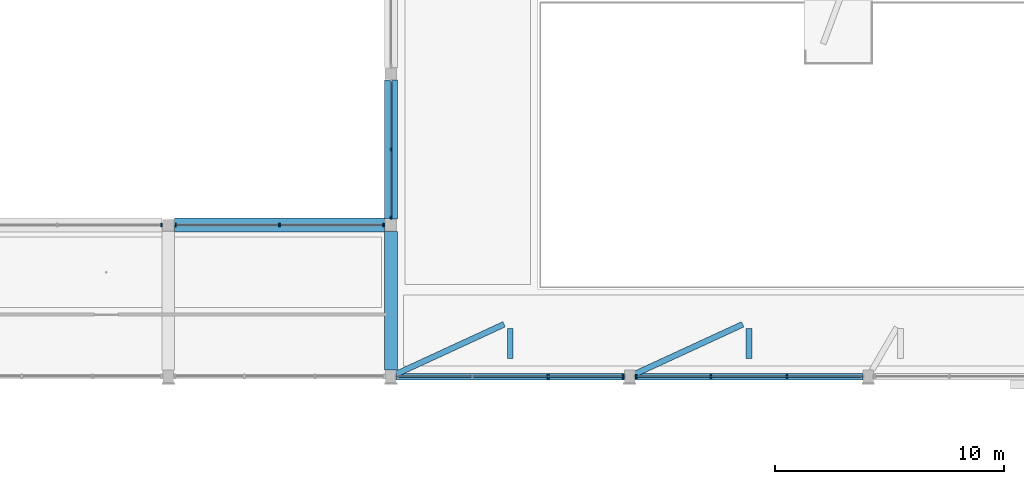
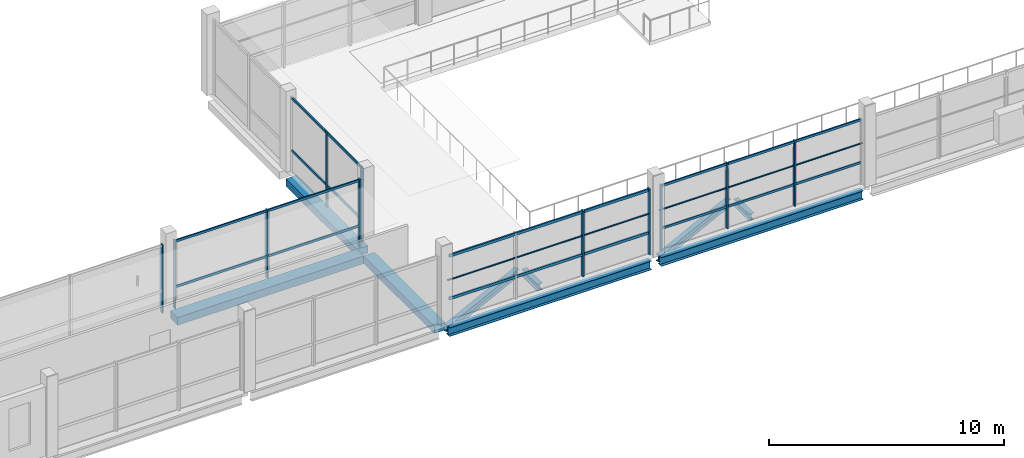
# One storey, part 14 of 85: 21 members, 9 beams, 5 elements without a shape of their own.
"""IFC4 building model written with IfcOpenShell, lengths in metres."""

from ifc_helpers import new_model, si_unit, derived_unit, direction, frame, origin, origin_2d, place, context, subcontext, project, spatial, rectangle, hollow_circle, i_section, extrude, material, material_profile, profile_set, type_object, element, aggregate, save


model = new_model("IFC4")

# Units and contexts
model_context = context("Model", 3, precision=1e-05, world=origin(), true_north=direction((0.0, 1.0)))
body_context = subcontext(model_context, "Body", "Model", "MODEL_VIEW")
ifc_project = project(units=[si_unit("LENGTHUNIT", "METRE"), si_unit("AREAUNIT", "SQUARE_METRE"), si_unit("VOLUMEUNIT", "CUBIC_METRE"), si_unit("PLANEANGLEUNIT", "RADIAN"), si_unit("MASSUNIT", "GRAM", prefix="KILO"), derived_unit("THERMALTRANSMITTANCEUNIT", [(si_unit("POWERUNIT", "WATT"), 1), (si_unit("LENGTHUNIT", "METRE"), -2), (si_unit("THERMODYNAMICTEMPERATUREUNIT", "KELVIN"), -1)])], contexts=[model_context])

# Site, building, storey
site_placement = place(None, origin())
site = spatial("IfcSite", under=ifc_project, at=site_placement, CompositionType="ELEMENT")
building_placement = place(site_placement, origin())
building = spatial("IfcBuilding", under=site, at=building_placement, Name="Braskholm Square Health Centre", CompositionType="ELEMENT")
storey_placement = place(building_placement, frame((0.0, 0.0, 9.300048828125)))
storey = spatial("IfcBuildingStorey", under=building, at=storey_placement, Name="L03", CompositionType="ELEMENT", Elevation=9.300048828125)

# Members
ifc_material_1 = material(Name="Steel ASTM A500 Grade C", Category="steel")
ifc_material_profile_1 = material_profile(ifc_material_1, hollow_circle(Radius=0.04443359375, WallThickness=0.005126953125, at=origin_2d()), Name="HSS3.500X0.216")
ifc_profile_set_1 = profile_set([ifc_material_profile_1], Name="Steel ASTM A500 Grade C")
member_type_1 = type_object("IfcMemberType", Name="ClerestoryGirtStrutCHS89", PredefinedType="STRUT", material=ifc_profile_set_1)
for number, where, z_axis, x_axis, name in (
    (1, (47.81005859375, 87.199951171875, 2.099853515625), (1.0, 0.0, 0.0), (0.0, 1.0, 0.0), "Waiting Hall high clerestory girt Bay 1"),
    (2, (58.2099609375, 87.199951171875, 2.099853515625), (1.0, 0.0, 0.0), (0.0, 1.0, 0.0), "Waiting Hall high clerestory girt Bay 2"),
):
    element("IfcMember", number, at=place(storey_placement, frame(where, z_axis=z_axis, x_axis=x_axis)), inside=storey, type_object=member_type_1, Name=name, PredefinedType="STRUT", context=body_context, shape_type="SweptSolid", body=[
        extrude(hollow_circle(Radius=0.04443359375, WallThickness=0.005126953125, at=origin_2d()), origin(), (0.0, 0.0, 1.0), 9.97998046875),
    ])

# Curtain wall, member
ifc_material_2 = material(Name="Low-E triple insulating glass (VLT 0.64)", Category="glass")
curtain_wall_type_1 = type_object("IfcCurtainWallType", Name="UnitisedCurtainWall6200x3650", PredefinedType="NOTDEFINED", material=ifc_material_2)
curtain_wall_1_placement = place(storey_placement, origin())
curtain_wall_1 = element("IfcCurtainWall", 3, at=curtain_wall_1_placement, inside=storey, type_object=curtain_wall_type_1, Name="Portal North L03 unitised curtain wall CW-L03-0176", PredefinedType="NOTDEFINED")
ifc_material_3 = material(Name="Architectural bronze anodised aluminium", Category="aluminium")
ifc_material_profile_2 = material_profile(ifc_material_3, rectangle(XDim=0.06494140625, YDim=0.14990234375, at=origin_2d()), Name="ALU-65X150")
ifc_profile_set_2 = profile_set([ifc_material_profile_2], Name="Architectural bronze anodised aluminium")
member_type_2 = type_object("IfcMemberType", Name="CurtainWallMullion65x150", PredefinedType="MULLION", material=ifc_profile_set_2)
member_1_placement = place(storey_placement, frame((37.5927734375, 93.800048828125, 0.0), z_axis=(0.0, 0.0, 1.0), x_axis=(1.0, 0.0, 0.0)))
member_1 = element("IfcMember", 4, at=member_1_placement, type_object=member_type_2, Name="CW-L03-0176 vertical mullion 1", PredefinedType="MULLION", context=body_context, shape_type="SweptSolid", body=[
    extrude(rectangle(XDim=0.06494140625, YDim=0.14990234375, at=origin_2d()), origin(), (0.0, 0.0, 1.0), 3.550048828125),
])
aggregate(curtain_wall_1, [member_1])

# Curtain wall, members
curtain_wall_2_placement = place(storey_placement, origin())
curtain_wall_2 = element("IfcCurtainWall", 5, at=curtain_wall_2_placement, inside=storey, type_object=curtain_wall_type_1, Name="Portal North L03 unitised curtain wall CW-L03-0182", PredefinedType="NOTDEFINED")
member_2_placement = place(storey_placement, frame((47.292724609375, 93.800048828125, 0.0), z_axis=(0.0, 0.0, 1.0), x_axis=(1.0, 0.0, 0.0)))
member_2 = element("IfcMember", 6, at=member_2_placement, type_object=member_type_2, Name="CW-L03-0182 vertical mullion 1", PredefinedType="MULLION", context=body_context, shape_type="SweptSolid", body=[
    extrude(rectangle(XDim=0.06494140625, YDim=0.14990234375, at=origin_2d()), origin(), (0.0, 0.0, 1.0), 3.550048828125),
])
member_3_placement = place(storey_placement, frame((42.75, 93.800048828125, 0.0), z_axis=(0.0, 0.0, 1.0), x_axis=(1.0, 0.0, 0.0)))
member_3 = element("IfcMember", 7, at=member_3_placement, type_object=member_type_2, Name="CW-L03-0182 vertical mullion 2", PredefinedType="MULLION", context=body_context, shape_type="SweptSolid", body=[
    extrude(rectangle(XDim=0.06494140625, YDim=0.14990234375, at=origin_2d()), origin(), (0.0, 0.0, 1.0), 3.550048828125),
])
member_4_placement = place(storey_placement, frame((38.207275390625, 93.800048828125, 0.0), z_axis=(0.0, 0.0, 1.0), x_axis=(1.0, 0.0, 0.0)))
member_4 = element("IfcMember", 8, at=member_4_placement, type_object=member_type_2, Name="CW-L03-0182 vertical mullion 3", PredefinedType="MULLION", context=body_context, shape_type="SweptSolid", body=[
    extrude(rectangle(XDim=0.06494140625, YDim=0.14990234375, at=origin_2d()), origin(), (0.0, 0.0, 1.0), 3.550048828125),
])

curtain_wall_3_placement = place(storey_placement, origin())
curtain_wall_3 = element("IfcCurtainWall", 9, at=curtain_wall_3_placement, inside=storey, type_object=curtain_wall_type_1, Name="Hall Clerestory L03 unitised curtain wall CW-L03-0188", PredefinedType="NOTDEFINED")
member_5_placement = place(storey_placement, frame((58.29150390625, 87.199951171875, 0.0), z_axis=(0.0, 0.0, 1.0), x_axis=(1.0, 0.0, 0.0)))
member_5 = element("IfcMember", 10, at=member_5_placement, type_object=member_type_2, Name="CW-L03-0188 vertical mullion 1", PredefinedType="MULLION", context=body_context, shape_type="SweptSolid", body=[
    extrude(rectangle(XDim=0.06494140625, YDim=0.14990234375, at=origin_2d()), origin(), (0.0, 0.0, 1.0), 3.406005859375),
])
member_6_placement = place(storey_placement, frame((61.5439453125, 87.199951171875, 0.0), z_axis=(0.0, 0.0, 1.0), x_axis=(1.0, 0.0, 0.0)))
member_6 = element("IfcMember", 11, at=member_6_placement, type_object=member_type_2, Name="CW-L03-0188 vertical mullion 2", PredefinedType="MULLION", context=body_context, shape_type="SweptSolid", body=[
    extrude(rectangle(XDim=0.06494140625, YDim=0.14990234375, at=origin_2d()), origin(), (0.0, 0.0, 1.0), 3.406005859375),
])
member_7_placement = place(storey_placement, frame((64.85595703125, 87.199951171875, 0.0), z_axis=(0.0, 0.0, 1.0), x_axis=(1.0, 0.0, 0.0)))
member_7 = element("IfcMember", 12, at=member_7_placement, type_object=member_type_2, Name="CW-L03-0188 vertical mullion 3", PredefinedType="MULLION", context=body_context, shape_type="SweptSolid", body=[
    extrude(rectangle(XDim=0.06494140625, YDim=0.14990234375, at=origin_2d()), origin(), (0.0, 0.0, 1.0), 3.406005859375),
])

curtain_wall_type_2 = type_object("IfcCurtainWallType", Name="UnitisedCurtainWall6200x3800", PredefinedType="NOTDEFINED", material=ifc_material_2)
curtain_wall_4_placement = place(storey_placement, origin())
curtain_wall_4 = element("IfcCurtainWall", 13, at=curtain_wall_4_placement, inside=storey, type_object=curtain_wall_type_2, Name="Hall Cheek L03 unitised curtain wall CW-L03-0226", PredefinedType="NOTDEFINED")
member_8_placement = place(storey_placement, frame((47.60009765625, 97.10009765625, 0.0), z_axis=(0.0, 0.0, 1.0), x_axis=(1.0, 0.0, 0.0)))
member_8 = element("IfcMember", 14, at=member_8_placement, type_object=member_type_2, Name="CW-L03-0226 vertical mullion 2", PredefinedType="MULLION", context=body_context, shape_type="SweptSolid", body=[
    extrude(rectangle(XDim=0.06494140625, YDim=0.14990234375, at=origin_2d()), origin(), (0.0, 0.0, 1.0), 3.89990234375),
])
member_9_placement = place(storey_placement, frame((47.60009765625, 94.135986328125, 0.0), z_axis=(0.0, 0.0, 1.0), x_axis=(1.0, 0.0, 0.0)))
member_9 = element("IfcMember", 15, at=member_9_placement, type_object=member_type_2, Name="CW-L03-0226 vertical mullion 3", PredefinedType="MULLION", context=body_context, shape_type="SweptSolid", body=[
    extrude(rectangle(XDim=0.06494140625, YDim=0.14990234375, at=origin_2d()), origin(), (0.0, 0.0, 1.0), 3.89990234375),
])

curtain_wall_5_placement = place(storey_placement, origin())
curtain_wall_5 = element("IfcCurtainWall", 16, at=curtain_wall_5_placement, inside=storey, type_object=curtain_wall_type_1, Name="Hall Clerestory L03 unitised curtain wall CW-L03-0185", PredefinedType="NOTDEFINED")
ifc_material_profile_3 = material_profile(ifc_material_3, rectangle(XDim=0.074951171875, YDim=0.179931640625, at=origin_2d()), Name="ALU-75X180")
ifc_profile_set_3 = profile_set([ifc_material_profile_3], Name="Architectural bronze anodised aluminium")
member_type_3 = type_object("IfcMemberType", Name="CurtainWallMullion75x180", PredefinedType="MULLION", material=ifc_profile_set_3)
member_10_placement = place(storey_placement, frame((54.4560546875, 87.199951171875, 0.0), z_axis=(0.0, 0.0, 1.0), x_axis=(1.0, 0.0, 0.0)))
member_10 = element("IfcMember", 17, at=member_10_placement, type_object=member_type_3, Name="CW-L03-0185 vertical mullion 3", PredefinedType="MULLION", context=body_context, shape_type="SweptSolid", body=[
    extrude(rectangle(XDim=0.074951171875, YDim=0.179931640625, at=origin_2d()), origin(), (0.0, 0.0, 1.0), 3.406005859375),
])
member_11_placement = place(storey_placement, frame((57.70849609375, 87.199951171875, 0.0), z_axis=(0.0, 0.0, 1.0), x_axis=(1.0, 0.0, 0.0)))
member_11 = element("IfcMember", 18, at=member_11_placement, type_object=member_type_3, Name="CW-L03-0185 vertical mullion 4", PredefinedType="MULLION", context=body_context, shape_type="SweptSolid", body=[
    extrude(rectangle(XDim=0.074951171875, YDim=0.179931640625, at=origin_2d()), origin(), (0.0, 0.0, 1.0), 3.406005859375),
])

# Member
ifc_material_profile_4 = material_profile(ifc_material_3, rectangle(XDim=0.06494140625, YDim=0.1201171875, at=origin_2d()), Name="ALU-65X120")
ifc_profile_set_4 = profile_set([ifc_material_profile_4], Name="Architectural bronze anodised aluminium")
member_type_4 = type_object("IfcMemberType", Name="CurtainWallTransom65x120", PredefinedType="USERDEFINED", material=ifc_profile_set_4)
member_12_placement = place(storey_placement, frame((47.302978515625, 93.800048828125, 1.119873046875), z_axis=(-1.0, 0.0, 0.0), x_axis=(0.0, -1.0, 0.0)))
member_12 = element("IfcMember", 19, at=member_12_placement, type_object=member_type_4, Name="CW-L03-0182 horizontal transom 1", ObjectType="TRANSOM", PredefinedType="USERDEFINED", context=body_context, shape_type="SweptSolid", body=[
    extrude(rectangle(XDim=0.06494140625, YDim=0.1201171875, at=origin_2d()), origin(), (0.0, 0.0, 1.0), 9.10595703125),
])

member_13_placement = place(storey_placement, frame((47.302978515625, 93.800048828125, 3.47998046875), z_axis=(-1.0, 0.0, 0.0), x_axis=(0.0, -1.0, 0.0)))
member_13 = element("IfcMember", 20, at=member_13_placement, type_object=member_type_4, Name="CW-L03-0182 horizontal transom 2", ObjectType="TRANSOM", PredefinedType="USERDEFINED", context=body_context, shape_type="SweptSolid", body=[
    extrude(rectangle(XDim=0.06494140625, YDim=0.1201171875, at=origin_2d()), origin(), (0.0, 0.0, 1.0), 9.10595703125),
])

aggregate(curtain_wall_2, [member_2, member_3, member_4, member_12, member_13])

member_14_placement = place(storey_placement, frame((58.277099609375, 87.199951171875, 1.119873046875), z_axis=(1.0, 0.0, 0.0), x_axis=(0.0, 1.0, 0.0)))
member_14 = element("IfcMember", 21, at=member_14_placement, type_object=member_type_4, Name="CW-L03-0188 horizontal transom 1", ObjectType="TRANSOM", PredefinedType="USERDEFINED", context=body_context, shape_type="SweptSolid", body=[
    extrude(rectangle(XDim=0.06494140625, YDim=0.1201171875, at=origin_2d()), origin(), (0.0, 0.0, 1.0), 9.845947265625),
])

member_15_placement = place(storey_placement, frame((58.277099609375, 87.199951171875, 3.3359375), z_axis=(1.0, 0.0, 0.0), x_axis=(0.0, 1.0, 0.0)))
member_15 = element("IfcMember", 22, at=member_15_placement, type_object=member_type_4, Name="CW-L03-0188 horizontal transom 2", ObjectType="TRANSOM", PredefinedType="USERDEFINED", context=body_context, shape_type="SweptSolid", body=[
    extrude(rectangle(XDim=0.06494140625, YDim=0.1201171875, at=origin_2d()), origin(), (0.0, 0.0, 1.0), 9.845947265625),
])

aggregate(curtain_wall_3, [member_5, member_6, member_7, member_14, member_15])

member_16_placement = place(storey_placement, frame((47.60009765625, 100.054931640625, 1.119873046875), z_axis=(0.0, -1.0, 0.0), x_axis=(1.0, 0.0, 0.0)))
member_16 = element("IfcMember", 23, at=member_16_placement, type_object=member_type_4, Name="CW-L03-0226 horizontal transom 1", ObjectType="TRANSOM", PredefinedType="USERDEFINED", context=body_context, shape_type="SweptSolid", body=[
    extrude(rectangle(XDim=0.06494140625, YDim=0.1201171875, at=origin_2d()), origin(), (0.0, 0.0, 1.0), 5.909912109375),
])

member_17_placement = place(storey_placement, frame((47.60009765625, 100.054931640625, 3.829833984375), z_axis=(0.0, -1.0, 0.0), x_axis=(1.0, 0.0, 0.0)))
member_17 = element("IfcMember", 24, at=member_17_placement, type_object=member_type_4, Name="CW-L03-0226 horizontal transom 2", ObjectType="TRANSOM", PredefinedType="USERDEFINED", context=body_context, shape_type="SweptSolid", body=[
    extrude(rectangle(XDim=0.06494140625, YDim=0.1201171875, at=origin_2d()), origin(), (0.0, 0.0, 1.0), 5.909912109375),
])

aggregate(curtain_wall_4, [member_8, member_9, member_16, member_17])

ifc_material_profile_5 = material_profile(ifc_material_3, rectangle(XDim=0.074951171875, YDim=0.139892578125, at=origin_2d()), Name="ALU-75X140")
ifc_profile_set_5 = profile_set([ifc_material_profile_5], Name="Architectural bronze anodised aluminium")
member_type_5 = type_object("IfcMemberType", Name="CurtainWallTransom75x140", PredefinedType="USERDEFINED", material=ifc_profile_set_5)
member_18_placement = place(storey_placement, frame((47.876953125, 87.199951171875, 1.119873046875), z_axis=(1.0, 0.0, 0.0), x_axis=(0.0, 1.0, 0.0)))
member_18 = element("IfcMember", 25, at=member_18_placement, type_object=member_type_5, Name="CW-L03-0185 horizontal transom 1", ObjectType="TRANSOM", PredefinedType="USERDEFINED", context=body_context, shape_type="SweptSolid", body=[
    extrude(rectangle(XDim=0.074951171875, YDim=0.139892578125, at=origin_2d()), origin(), (0.0, 0.0, 1.0), 9.845947265625),
])

member_19_placement = place(storey_placement, frame((47.876953125, 87.199951171875, 3.3359375), z_axis=(1.0, 0.0, 0.0), x_axis=(0.0, 1.0, 0.0)))
member_19 = element("IfcMember", 26, at=member_19_placement, type_object=member_type_5, Name="CW-L03-0185 horizontal transom 2", ObjectType="TRANSOM", PredefinedType="USERDEFINED", context=body_context, shape_type="SweptSolid", body=[
    extrude(rectangle(XDim=0.074951171875, YDim=0.139892578125, at=origin_2d()), origin(), (0.0, 0.0, 1.0), 9.845947265625),
])

aggregate(curtain_wall_5, [member_10, member_11, member_18, member_19])

# Beams
ifc_material_4 = material(Name="Concrete C35/45 (f'c = 35 MPa)", Category="concrete")
ifc_material_profile_6 = material_profile(ifc_material_4, rectangle(XDim=0.550048828125, YDim=0.3798828125, at=origin_2d()), Name="RCB-550X380")
ifc_profile_set_6 = profile_set([ifc_material_profile_6], Name="Concrete C35/45 (f'c = 35 MPa)")
beam_type_1 = type_object("IfcBeamType", Name="PrimaryBandBeam550x380", PredefinedType="BEAM", material=ifc_profile_set_6)
beam_1_placement = place(storey_placement, frame((47.60009765625, 87.47998046875, -0.489990234375), z_axis=(0.0, 1.0, 0.0), x_axis=(-1.0, 0.0, 0.0)))
element("IfcBeam", 27, at=beam_1_placement, inside=storey, type_object=beam_type_1, Name="Beam 8/N-P L03", PredefinedType="BEAM", context=body_context, shape_type="SweptSolid", body=[
    extrude(rectangle(XDim=0.550048828125, YDim=0.3798828125, at=origin_2d()), origin(), (0.0, 0.0, 1.0), 6.044921875),
])
beam_2_placement = place(storey_placement, frame((47.60009765625, 94.074951171875, -0.489990234375), z_axis=(0.0, 1.0, 0.0), x_axis=(-1.0, 0.0, 0.0)))
element("IfcBeam", 28, at=beam_2_placement, inside=storey, type_object=beam_type_1, Name="Beam 8/P-Q L03", PredefinedType="BEAM", context=body_context, shape_type="SweptSolid", body=[
    extrude(rectangle(XDim=0.550048828125, YDim=0.3798828125, at=origin_2d()), origin(), (0.0, 0.0, 1.0), 6.050048828125),
])
ifc_material_profile_7 = material_profile(ifc_material_4, rectangle(XDim=0.60009765625, YDim=0.39990234375, at=origin_2d()), Name="RCB-600X400")
ifc_profile_set_7 = profile_set([ifc_material_profile_7], Name="Concrete C35/45 (f'c = 35 MPa)")
beam_type_2 = type_object("IfcBeamType", Name="PrimaryBandBeam600x400", PredefinedType="BEAM", material=ifc_profile_set_7)
beam_3_placement = place(storey_placement, frame((38.175048828125, 93.800048828125, -0.5), z_axis=(1.0, 0.0, 0.0), x_axis=(0.0, 1.0, 0.0)))
element("IfcBeam", 29, at=beam_3_placement, inside=storey, type_object=beam_type_2, Name="Beam 7-8/P L03", PredefinedType="BEAM", context=body_context, shape_type="SweptSolid", body=[
    extrude(rectangle(XDim=0.60009765625, YDim=0.39990234375, at=origin_2d()), origin(), (0.0, 0.0, 1.0), 9.14990234375),
])
ifc_material_5 = material(Name="Steel ASTM A992 Grade 50", Category="steel")
ifc_material_profile_8 = material_profile(ifc_material_5, i_section(OverallWidth=0.2548828125, OverallDepth=0.35693359375, WebThickness=0.010498046875, FlangeThickness=0.018310546875, at=origin_2d()), Name="W14X68")
ifc_profile_set_8 = profile_set([ifc_material_profile_8], Name="Steel ASTM A992 Grade 50")
beam_type_3 = type_object("IfcBeamType", Name="SteelBeamCanopyW14X68", PredefinedType="BEAM", material=ifc_profile_set_8)
for number, where, z_axis, x_axis, name in (
    (30, (52.529296875, 89.47509765625, -0.478515625), (-0.907966284726, -0.419043226649, 0.0), (0.419043226649, -0.907966284726, 0.0), "Tie beam RC01 L03"),
    (31, (62.929443359375, 89.47509765625, -0.478515625), (-0.907966284726, -0.419043226649, 0.0), (0.419043226649, -0.907966284726, 0.0), "Tie beam RC02 L03"),
):
    element("IfcBeam", number, at=place(storey_placement, frame(where, z_axis=z_axis, x_axis=x_axis)), inside=storey, type_object=beam_type_3, Name=name, PredefinedType="BEAM", context=body_context, shape_type="SweptSolid", body=[
        extrude(i_section(OverallWidth=0.2548828125, OverallDepth=0.35693359375, WebThickness=0.010498046875, FlangeThickness=0.018310546875, at=origin_2d()), origin(), (0.0, 0.0, 1.0), 5.177734375),
    ])
for number, where, z_axis, x_axis, name in (
    (32, (52.800048828125, 87.97607421875, -0.478515625), (0.0, 1.0, 0.0), (-1.0, 0.0, 0.0), "Tie beam CS1A L03"),
    (33, (63.199951171875, 87.97607421875, -0.478515625), (0.0, 1.0, 0.0), (-1.0, 0.0, 0.0), "Tie beam CS1B L03"),
):
    element("IfcBeam", number, at=place(storey_placement, frame(where, z_axis=z_axis, x_axis=x_axis)), inside=storey, type_object=beam_type_3, Name=name, PredefinedType="BEAM", context=body_context, shape_type="SweptSolid", body=[
        extrude(i_section(OverallWidth=0.2548828125, OverallDepth=0.35693359375, WebThickness=0.010498046875, FlangeThickness=0.018310546875, at=origin_2d()), origin(), (0.0, 0.0, 1.0), 1.325927734375),
    ])
ifc_material_profile_9 = material_profile(ifc_material_5, i_section(OverallWidth=0.280029296875, OverallDepth=0.462890625, WebThickness=0.0107421875, FlangeThickness=0.017333984375, at=origin_2d()), Name="W18X76")
ifc_profile_set_9 = profile_set([ifc_material_profile_9], Name="Steel ASTM A992 Grade 50")
beam_type_4 = type_object("IfcBeamType", Name="SteelGirderGalleryW18X76", PredefinedType="BEAM", material=ifc_profile_set_9)
for number, where, z_axis, x_axis, name in (
    (34, (47.830078125, 87.199951171875, -0.531494140625), (1.0, 0.0, 0.0), (0.0, 1.0, 0.0), "Beam 8-9/N L03"),
    (35, (58.22998046875, 87.199951171875, -0.531494140625), (1.0, 0.0, 0.0), (0.0, 1.0, 0.0), "Beam 9-10/N L03"),
):
    element("IfcBeam", number, at=place(storey_placement, frame(where, z_axis=z_axis, x_axis=x_axis)), inside=storey, type_object=beam_type_4, Name=name, PredefinedType="BEAM", context=body_context, shape_type="SweptSolid", body=[
        extrude(i_section(OverallWidth=0.280029296875, OverallDepth=0.462890625, WebThickness=0.0107421875, FlangeThickness=0.017333984375, at=origin_2d()), origin(), (0.0, 0.0, 1.0), 9.93994140625),
    ])

save(model, "model.ifc")
